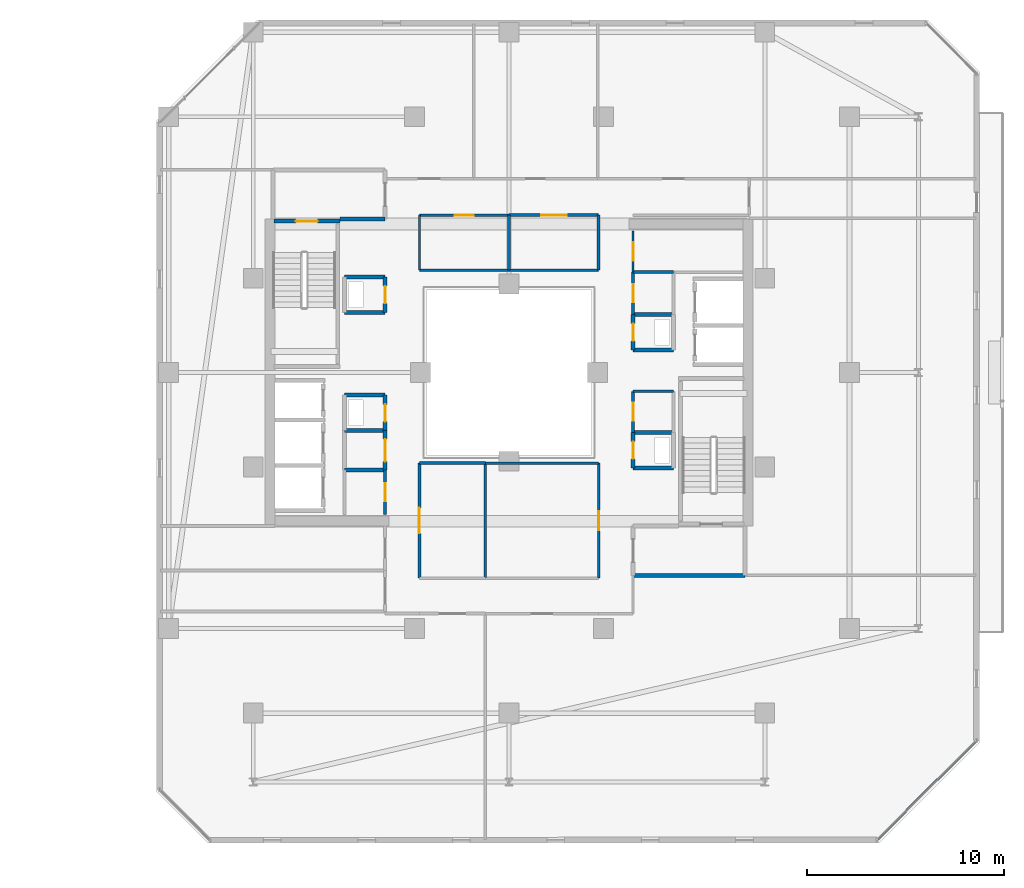
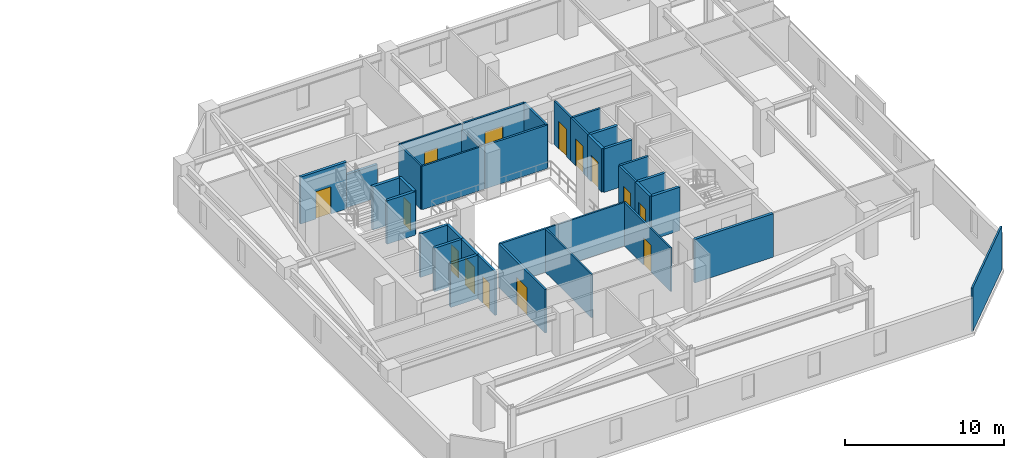
# One storey, part 23 of 32: 36 walls, 14 doors, 14 openings.
"""IFC4 building model written with IfcOpenShell, lengths in metres."""

from ifc_helpers import new_model, si_unit, direction, frame, frame_2d, origin, place, context, subcontext, project, spatial, rectangle, extrude, material, layer, layer_set, type_object, element, fill, save


model = new_model("IFC4")

# Units and contexts
model_context = context("Model", 3, precision=1e-05, world=origin(), true_north=direction((0.0, 1.0)))
body_context = subcontext(model_context, "Body", "Model", "MODEL_VIEW")
ifc_project = project(units=[si_unit("LENGTHUNIT", "METRE"), si_unit("AREAUNIT", "SQUARE_METRE"), si_unit("VOLUMEUNIT", "CUBIC_METRE"), si_unit("PLANEANGLEUNIT", "RADIAN"), si_unit("MASSUNIT", "GRAM", prefix="KILO")], contexts=[model_context])

# Site, building, storey
site_placement = place(None, origin())
site = spatial("IfcSite", under=ifc_project, at=site_placement, CompositionType="ELEMENT")
building_placement = place(site_placement, origin())
building = spatial("IfcBuilding", under=site, at=building_placement, Name="Thornwick Lancets Civic Towers", CompositionType="ELEMENT")
storey_placement = place(building_placement, frame((0.0, 0.0, 243.89990234375)))
storey = spatial("IfcBuildingStorey", under=building, at=storey_placement, Name="L65", CompositionType="ELEMENT", Elevation=243.89990234375)

# Walls
ifc_material_1 = material(Name="Concrete blockwork C40/50", Category="masonry")
ifc_layer_1 = layer(ifc_material_1, 0.199951171875, Name="Concrete blockwork C40/50")
ifc_layer_set_1 = layer_set([ifc_layer_1], Name="Concrete blockwork C40/50")
wall_type_1 = type_object("IfcWallType", Name="WALL_COMP_200", PredefinedType="STANDARD", material=ifc_layer_set_1)
wall_1_placement = place(storey_placement, frame((94.800048828125, 16.699951171875, 0.0), z_axis=(0.0, 0.0, 1.0), x_axis=(1.0, 0.0, 0.0)))
element("IfcWall", 1, at=wall_1_placement, inside=storey, type_object=wall_type_1, Name="L65 Partition L65-B-FFLOB1 E1", PredefinedType="STANDARD", context=body_context, shape_type="SweptSolid", body=[
    extrude(rectangle(XDim=5.699951171875, YDim=0.199951171875, at=frame_2d((2.85009765625, 0.0))), origin(), (0.0, 0.0, 1.0), 3.340087890625),
])
wall_2_placement = place(storey_placement, frame((79.89990234375, 34.800048828125, 0.0), z_axis=(0.0, 0.0, 1.0), x_axis=(1.0, 0.0, 0.0)))
element("IfcWall", 2, at=wall_2_placement, inside=storey, type_object=wall_type_1, Name="L65 Partition L65-B-FFLOB2 E1", PredefinedType="STANDARD", context=body_context, shape_type="SweptSolid", body=[
    extrude(rectangle(XDim=2.300048828125, YDim=0.199951171875, at=frame_2d((1.14990234375, 0.0))), origin(), (0.0, 0.0, 1.0), 2.545166015625),
])
for number, where, z_axis, x_axis, name in (
    (3, (94.800048828125, 28.14990234375, 0.0), (0.0, 0.0, 1.0), (1.0, 0.0, 0.0), "L65 Partition L65-B-DUCT1 E1"),
    (4, (96.85009765625, 29.949951171875, 0.0), (0.0, 0.0, 1.0), (-1.0, 0.0, 0.0), "L65 Partition L65-B-DUCT1 E3"),
):
    element("IfcWall", number, at=place(storey_placement, frame(where, z_axis=z_axis, x_axis=x_axis)), inside=storey, type_object=wall_type_1, Name=name, PredefinedType="STANDARD", context=body_context, shape_type="SweptSolid", body=[
        extrude(rectangle(XDim=2.050048828125, YDim=0.199951171875, at=frame_2d((1.02490234375, 0.0))), origin(), (0.0, 0.0, 1.0), 3.340087890625),
    ])

# Wall, opening, door
wall_3_placement = place(storey_placement, frame((94.800048828125, 29.949951171875, 0.0), z_axis=(0.0, 0.0, 1.0), x_axis=(0.0, -1.0, 0.0)))
wall_3 = element("IfcWall", 5, at=wall_3_placement, inside=storey, type_object=wall_type_1, Name="L65 Partition L65-B-DUCT1 E4", PredefinedType="STANDARD", context=body_context, shape_type="SweptSolid", body=[
    extrude(rectangle(XDim=1.800048828125, YDim=0.199951171875, at=frame_2d((0.89990234375, 0.0))), origin(), (0.0, 0.0, 1.0), 3.340087890625),
])
opening_1_placement = place(wall_3_placement, frame((0.4599609375, 0.0, 0.0)))
opening_1 = element("IfcOpeningElement", 6, at=opening_1_placement, cuts=wall_3, Name="Opening D-L65-2936", PredefinedType="OPENING", context=body_context, shape_type="SweptSolid", body=[
    extrude(rectangle(XDim=0.8798828125, YDim=2.0400390625, at=frame_2d((0.43994140625, 1.02001953125))), frame((0.0, 0.10986328125, 0.0), z_axis=(0.0, -1.0, 0.0), x_axis=(1.0, 0.0, 0.0)), (0.0, 0.0, 1.0), 0.219970703125),
])
ifc_material_2 = material(Name="Steel riser access doorset", Category="steel")
door_type_1 = type_object("IfcDoorType", Name="DOOR_RISER_850", OperationType="NOTDEFINED", PredefinedType="DOOR", material=ifc_material_2)
door_1_placement = place(opening_1_placement, origin())
door_1 = element("IfcDoor", 7, at=door_1_placement, inside=storey, type_object=door_type_1, Name="L65 East Service Duct 1 Door", OperationType="SINGLE_SWING_LEFT", OverallHeight=2.0400390625, OverallWidth=0.8798828125, PredefinedType="DOOR", context=body_context, shape_type="SweptSolid", body=[
    extrude(rectangle(XDim=0.8798828125, YDim=2.0400390625, at=frame_2d((0.43994140625, 1.02001953125))), frame((0.0, 0.02490234375, 0.0), z_axis=(0.0, -1.0, 0.0), x_axis=(1.0, 0.0, 0.0)), (0.0, 0.0, 1.0), 0.050048828125),
])
fill(opening_1, door_1)

# Walls
for number, where, z_axis, x_axis, name in (
    (8, (94.800048828125, 22.14990234375, 0.0), (0.0, 0.0, 1.0), (1.0, 0.0, 0.0), "L65 Partition L65-B-RISER1 E1"),
    (9, (96.85009765625, 23.949951171875, 0.0), (0.0, 0.0, 1.0), (-1.0, 0.0, 0.0), "L65 Partition L65-B-RISER1 E3"),
):
    element("IfcWall", number, at=place(storey_placement, frame(where, z_axis=z_axis, x_axis=x_axis)), inside=storey, type_object=wall_type_1, Name=name, PredefinedType="STANDARD", context=body_context, shape_type="SweptSolid", body=[
        extrude(rectangle(XDim=2.050048828125, YDim=0.199951171875, at=frame_2d((1.02490234375, 0.0))), origin(), (0.0, 0.0, 1.0), 3.340087890625),
    ])

# Wall, opening, door
wall_4_placement = place(storey_placement, frame((94.800048828125, 23.949951171875, 0.0), z_axis=(0.0, 0.0, 1.0), x_axis=(0.0, -1.0, 0.0)))
wall_4 = element("IfcWall", 10, at=wall_4_placement, inside=storey, type_object=wall_type_1, Name="L65 Partition L65-B-RISER1 E4", PredefinedType="STANDARD", context=body_context, shape_type="SweptSolid", body=[
    extrude(rectangle(XDim=1.800048828125, YDim=0.199951171875, at=frame_2d((0.89990234375, 0.0))), origin(), (0.0, 0.0, 1.0), 3.340087890625),
])
opening_2_placement = place(wall_4_placement, frame((0.4599609375, 0.0, 0.0)))
opening_2 = element("IfcOpeningElement", 11, at=opening_2_placement, cuts=wall_4, Name="Opening D-L65-2937", PredefinedType="OPENING", context=body_context, shape_type="SweptSolid", body=[
    extrude(rectangle(XDim=0.8798828125, YDim=2.0400390625, at=frame_2d((0.43994140625, 1.02001953125))), frame((0.0, 0.10986328125, 0.0), z_axis=(0.0, -1.0, 0.0), x_axis=(1.0, 0.0, 0.0)), (0.0, 0.0, 1.0), 0.219970703125),
])
door_2_placement = place(opening_2_placement, origin())
door_2 = element("IfcDoor", 12, at=door_2_placement, inside=storey, type_object=door_type_1, Name="L65 East Electrical Riser 1 Door", OperationType="SINGLE_SWING_RIGHT", OverallHeight=2.0400390625, OverallWidth=0.8798828125, PredefinedType="DOOR", context=body_context, shape_type="SweptSolid", body=[
    extrude(rectangle(XDim=0.8798828125, YDim=2.0400390625, at=frame_2d((0.43994140625, 1.02001953125))), frame((0.0, 0.02490234375, 0.0), z_axis=(0.0, -1.0, 0.0), x_axis=(1.0, 0.0, 0.0)), (0.0, 0.0, 1.0), 0.050048828125),
])
fill(opening_2, door_2)

# Wall
wall_5_placement = place(storey_placement, frame((80.14990234375, 24.050048828125, 0.0), z_axis=(0.0, 0.0, 1.0), x_axis=(1.0, 0.0, 0.0)))
element("IfcWall", 13, at=wall_5_placement, inside=storey, type_object=wall_type_1, Name="L65 Partition L65-B-DUCT2 E1", PredefinedType="STANDARD", context=body_context, shape_type="SweptSolid", body=[
    extrude(rectangle(XDim=2.050048828125, YDim=0.199951171875, at=frame_2d((1.02490234375, 0.0))), origin(), (0.0, 0.0, 1.0), 3.340087890625),
])

# Wall, opening, door
wall_6_placement = place(storey_placement, frame((82.199951171875, 24.050048828125, 0.0), z_axis=(0.0, 0.0, 1.0), x_axis=(0.0, 1.0, 0.0)))
wall_6 = element("IfcWall", 14, at=wall_6_placement, inside=storey, type_object=wall_type_1, Name="L65 Partition L65-B-DUCT2 E2", PredefinedType="STANDARD", context=body_context, shape_type="SweptSolid", body=[
    extrude(rectangle(XDim=1.800048828125, YDim=0.199951171875, at=frame_2d((0.89990234375, 0.0))), origin(), (0.0, 0.0, 1.0), 3.340087890625),
])
opening_3_placement = place(wall_6_placement, frame((0.4599609375, 0.0, 0.0)))
opening_3 = element("IfcOpeningElement", 15, at=opening_3_placement, cuts=wall_6, Name="Opening D-L65-2938", PredefinedType="OPENING", context=body_context, shape_type="SweptSolid", body=[
    extrude(rectangle(XDim=0.8798828125, YDim=2.0400390625, at=frame_2d((0.43994140625, 1.02001953125))), frame((0.0, 0.10986328125, 0.0), z_axis=(0.0, -1.0, 0.0), x_axis=(1.0, 0.0, 0.0)), (0.0, 0.0, 1.0), 0.219970703125),
])
door_3_placement = place(opening_3_placement, origin())
door_3 = element("IfcDoor", 16, at=door_3_placement, inside=storey, type_object=door_type_1, Name="L65 West Service Duct 2 Door", OperationType="SINGLE_SWING_LEFT", OverallHeight=2.0400390625, OverallWidth=0.8798828125, PredefinedType="DOOR", context=body_context, shape_type="SweptSolid", body=[
    extrude(rectangle(XDim=0.8798828125, YDim=2.0400390625, at=frame_2d((0.43994140625, 1.02001953125))), frame((0.0, 0.02490234375, 0.0), z_axis=(0.0, -1.0, 0.0), x_axis=(1.0, 0.0, 0.0)), (0.0, 0.0, 1.0), 0.050048828125),
])
fill(opening_3, door_3)

# Walls
for number, where, z_axis, x_axis, name in (
    (17, (82.199951171875, 25.85009765625, 0.0), (0.0, 0.0, 1.0), (-1.0, 0.0, 0.0), "L65 Partition L65-B-DUCT2 E3"),
    (18, (80.14990234375, 30.050048828125, 0.0), (0.0, 0.0, 1.0), (1.0, 0.0, 0.0), "L65 Partition L65-B-RISER2 E1"),
):
    element("IfcWall", number, at=place(storey_placement, frame(where, z_axis=z_axis, x_axis=x_axis)), inside=storey, type_object=wall_type_1, Name=name, PredefinedType="STANDARD", context=body_context, shape_type="SweptSolid", body=[
        extrude(rectangle(XDim=2.050048828125, YDim=0.199951171875, at=frame_2d((1.02490234375, 0.0))), origin(), (0.0, 0.0, 1.0), 3.340087890625),
    ])

# Wall, opening, door
wall_7_placement = place(storey_placement, frame((82.199951171875, 30.050048828125, 0.0), z_axis=(0.0, 0.0, 1.0), x_axis=(0.0, 1.0, 0.0)))
wall_7 = element("IfcWall", 19, at=wall_7_placement, inside=storey, type_object=wall_type_1, Name="L65 Partition L65-B-RISER2 E2", PredefinedType="STANDARD", context=body_context, shape_type="SweptSolid", body=[
    extrude(rectangle(XDim=1.800048828125, YDim=0.199951171875, at=frame_2d((0.89990234375, 0.0))), origin(), (0.0, 0.0, 1.0), 3.340087890625),
])
opening_4_placement = place(wall_7_placement, frame((0.4599609375, 0.0, 0.0)))
opening_4 = element("IfcOpeningElement", 20, at=opening_4_placement, cuts=wall_7, Name="Opening D-L65-2939", PredefinedType="OPENING", context=body_context, shape_type="SweptSolid", body=[
    extrude(rectangle(XDim=0.8798828125, YDim=2.0400390625, at=frame_2d((0.43994140625, 1.02001953125))), frame((0.0, 0.10986328125, 0.0), z_axis=(0.0, -1.0, 0.0), x_axis=(1.0, 0.0, 0.0)), (0.0, 0.0, 1.0), 0.219970703125),
])
door_4_placement = place(opening_4_placement, origin())
door_4 = element("IfcDoor", 21, at=door_4_placement, inside=storey, type_object=door_type_1, Name="L65 West Service Riser 2 Door", OperationType="SINGLE_SWING_RIGHT", OverallHeight=2.0400390625, OverallWidth=0.8798828125, PredefinedType="DOOR", context=body_context, shape_type="SweptSolid", body=[
    extrude(rectangle(XDim=0.8798828125, YDim=2.0400390625, at=frame_2d((0.43994140625, 1.02001953125))), frame((0.0, 0.02490234375, 0.0), z_axis=(0.0, -1.0, 0.0), x_axis=(1.0, 0.0, 0.0)), (0.0, 0.0, 1.0), 0.050048828125),
])
fill(opening_4, door_4)

# Wall
wall_8_placement = place(storey_placement, frame((82.199951171875, 31.85009765625, 0.0), z_axis=(0.0, 0.0, 1.0), x_axis=(-1.0, 0.0, 0.0)))
element("IfcWall", 22, at=wall_8_placement, inside=storey, type_object=wall_type_1, Name="L65 Partition L65-B-RISER2 E3", PredefinedType="STANDARD", context=body_context, shape_type="SweptSolid", body=[
    extrude(rectangle(XDim=2.050048828125, YDim=0.199951171875, at=frame_2d((1.02490234375, 0.0))), origin(), (0.0, 0.0, 1.0), 3.340087890625),
])

# Wall, opening, door
wall_9_placement = place(storey_placement, frame((82.199951171875, 24.050048828125, 0.0), z_axis=(0.0, 0.0, 1.0), x_axis=(0.0, -1.0, 0.0)))
wall_9 = element("IfcWall", 23, at=wall_9_placement, inside=storey, type_object=wall_type_1, Name="L65 Partition L65-B-STR E3", PredefinedType="STANDARD", context=body_context, shape_type="SweptSolid", body=[
    extrude(rectangle(XDim=2.0, YDim=0.199951171875, at=frame_2d((1.0, 0.0))), origin(), (0.0, 0.0, 1.0), 3.340087890625),
])
opening_5_placement = place(wall_9_placement, frame((0.425048828125, 0.0, 0.0)))
opening_5 = element("IfcOpeningElement", 24, at=opening_5_placement, cuts=wall_9, Name="Opening D-L65-2944", PredefinedType="OPENING", context=body_context, shape_type="SweptSolid", body=[
    extrude(rectangle(XDim=1.14990234375, YDim=2.10009765625, at=frame_2d((0.574951171875, 1.050048828125))), frame((0.0, 0.10986328125, 0.0), z_axis=(0.0, -1.0, 0.0), x_axis=(1.0, 0.0, 0.0)), (0.0, 0.0, 1.0), 0.219970703125),
])
ifc_material_3 = material(Name="Glazed fire-resisting steel", Category="steel")
door_type_2 = type_object("IfcDoorType", Name="DOOR_LOBBY_FD60", OperationType="NOTDEFINED", PredefinedType="DOOR", material=ifc_material_3)
door_5_placement = place(opening_5_placement, origin())
door_5 = element("IfcDoor", 25, at=door_5_placement, inside=storey, type_object=door_type_2, Name="L65 Tower B Core Records Store Door", OperationType="SINGLE_SWING_LEFT", OverallHeight=2.10009765625, OverallWidth=1.14990234375, PredefinedType="DOOR", context=body_context, shape_type="SweptSolid", body=[
    extrude(rectangle(XDim=1.14990234375, YDim=2.10009765625, at=frame_2d((0.574951171875, 1.050048828125))), frame((0.0, 0.02490234375, 0.0), z_axis=(0.0, -1.0, 0.0), x_axis=(1.0, 0.0, 0.0)), (0.0, 0.0, 1.0), 0.050048828125),
])
fill(opening_5, door_5)

# Wall
wall_10_placement = place(storey_placement, frame((82.199951171875, 22.050048828125, 0.0), z_axis=(0.0, 0.0, 1.0), x_axis=(-1.0, 0.0, 0.0)))
element("IfcWall", 26, at=wall_10_placement, inside=storey, type_object=wall_type_1, Name="L65 Partition L65-B-STR E4", PredefinedType="STANDARD", context=body_context, shape_type="SweptSolid", body=[
    extrude(rectangle(XDim=2.050048828125, YDim=0.199951171875, at=frame_2d((1.02490234375, 0.0))), origin(), (0.0, 0.0, 1.0), 3.340087890625),
])

# Wall, opening, door
ifc_material_4 = material(Name="Acoustic gypsum board partition")
ifc_layer_2 = layer(ifc_material_4, 0.1201171875, Name="Acoustic gypsum board partition")
ifc_layer_set_2 = layer_set([ifc_layer_2], Name="Acoustic gypsum board partition")
wall_type_2 = type_object("IfcWallType", Name="WALL_PART_120", PredefinedType="PARTITIONING", material=ifc_layer_set_2)
wall_11_placement = place(storey_placement, frame((94.800048828125, 32.10009765625, 0.0), z_axis=(0.0, 0.0, 1.0), x_axis=(0.0, 1.0, 0.0)))
wall_11 = element("IfcWall", 27, at=wall_11_placement, inside=storey, type_object=wall_type_2, Name="L65 Partition L65-B-ITR E1", PredefinedType="PARTITIONING", context=body_context, shape_type="SweptSolid", body=[
    extrude(rectangle(XDim=2.099853515625, YDim=0.1201171875, at=frame_2d((1.0498046875, 0.0))), origin(), (0.0, 0.0, 1.0), 3.340087890625),
])
opening_6_placement = place(wall_11_placement, frame((0.574951171875, 0.0, 0.0)))
opening_6 = element("IfcOpeningElement", 28, at=opening_6_placement, cuts=wall_11, Name="Opening D-L65-2942", PredefinedType="OPENING", context=body_context, shape_type="SweptSolid", body=[
    extrude(rectangle(XDim=0.949951171875, YDim=2.10009765625, at=frame_2d((0.47509765625, 1.050048828125))), frame((0.0, 0.070068359375, 0.0), z_axis=(0.0, -1.0, 0.0), x_axis=(1.0, 0.0, 0.0)), (0.0, 0.0, 1.0), 0.14013671875),
])
ifc_material_5 = material(Name="European oak acoustic doorset")
door_type_3 = type_object("IfcDoorType", Name="DOOR_OFFICE_950", OperationType="NOTDEFINED", PredefinedType="DOOR", material=ifc_material_5)
door_6_placement = place(opening_6_placement, origin())
door_6 = element("IfcDoor", 29, at=door_6_placement, inside=storey, type_object=door_type_3, Name="L65 Tower B Comms Patch Room Door", OperationType="SINGLE_SWING_LEFT", OverallHeight=2.10009765625, OverallWidth=0.949951171875, PredefinedType="DOOR", context=body_context, shape_type="SweptSolid", body=[
    extrude(rectangle(XDim=0.949951171875, YDim=2.10009765625, at=frame_2d((0.47509765625, 1.050048828125))), frame((0.0, 0.02490234375, 0.0), z_axis=(0.0, -1.0, 0.0), x_axis=(1.0, 0.0, 0.0)), (0.0, 0.0, 1.0), 0.050048828125),
])
fill(opening_6, door_6)

# Walls
wall_12_placement = place(storey_placement, frame((112.219970703125, 8.2666015625, 0.0), z_axis=(0.0, 0.0, 1.0), x_axis=(-0.707106781187, -0.707106781187, 0.0)))
element("IfcWall", 30, at=wall_12_placement, inside=storey, type_object=wall_type_2, Name="L65 Partition L65-B-W1 E9", PredefinedType="PARTITIONING", context=body_context, shape_type="SweptSolid", body=[
    extrude(rectangle(XDim=7.052001953125, YDim=0.1201171875, at=frame_2d((3.52587890625, 0.0))), origin(), (0.0, 0.0, 1.0), 3.340087890625),
])
wall_13_placement = place(storey_placement, frame((87.300048828125, 16.550048828125, 0.0), z_axis=(0.0, 0.0, 1.0), x_axis=(0.0, 1.0, 0.0)))
element("IfcWall", 31, at=wall_13_placement, inside=storey, type_object=wall_type_2, Name="L65 Partition L65-B-W3 E1", PredefinedType="PARTITIONING", context=body_context, shape_type="SweptSolid", body=[
    extrude(rectangle(XDim=5.849853515625, YDim=0.1201171875, at=frame_2d((2.9248046875, 0.0))), origin(), (0.0, 0.0, 1.0), 3.340087890625),
])
wall_14_placement = place(storey_placement, frame((87.300048828125, 22.39990234375, 0.0), z_axis=(0.0, 0.0, 1.0), x_axis=(1.0, 0.0, 0.0)))
element("IfcWall", 32, at=wall_14_placement, inside=storey, type_object=wall_type_2, Name="L65 Partition L65-B-W3 E2", PredefinedType="PARTITIONING", context=body_context, shape_type="SweptSolid", body=[
    extrude(rectangle(XDim=5.75, YDim=0.1201171875, at=frame_2d((2.875, 0.0))), origin(), (0.0, 0.0, 1.0), 3.340087890625),
])

# Wall, opening, door
wall_15_placement = place(storey_placement, frame((93.050048828125, 22.39990234375, 0.0), z_axis=(0.0, 0.0, 1.0), x_axis=(0.0, -1.0, 0.0)))
wall_15 = element("IfcWall", 33, at=wall_15_placement, inside=storey, type_object=wall_type_2, Name="L65 Partition L65-B-W3 E3", PredefinedType="PARTITIONING", context=body_context, shape_type="SweptSolid", body=[
    extrude(rectangle(XDim=5.849853515625, YDim=0.1201171875, at=frame_2d((2.9248046875, 0.0))), origin(), (0.0, 0.0, 1.0), 3.340087890625),
])
opening_7_placement = place(wall_15_placement, frame((2.449951171875, 0.0, 0.0)))
opening_7 = element("IfcOpeningElement", 34, at=opening_7_placement, cuts=wall_15, Name="Opening D-L65-2962", PredefinedType="OPENING", context=body_context, shape_type="SweptSolid", body=[
    extrude(rectangle(XDim=0.949951171875, YDim=2.10009765625, at=frame_2d((0.47509765625, 1.050048828125))), frame((0.0, 0.070068359375, 0.0), z_axis=(0.0, -1.0, 0.0), x_axis=(1.0, 0.0, 0.0)), (0.0, 0.0, 1.0), 0.14013671875),
])
door_7_placement = place(opening_7_placement, origin())
door_7 = element("IfcDoor", 35, at=door_7_placement, inside=storey, type_object=door_type_3, Name="L65 Tower B Staff Tea Pantry and Lounge Door", OperationType="SINGLE_SWING_LEFT", OverallHeight=2.10009765625, OverallWidth=0.949951171875, PredefinedType="DOOR", context=body_context, shape_type="SweptSolid", body=[
    extrude(rectangle(XDim=0.949951171875, YDim=2.10009765625, at=frame_2d((0.47509765625, 1.050048828125))), frame((0.0, 0.02490234375, 0.0), z_axis=(0.0, -1.0, 0.0), x_axis=(1.0, 0.0, 0.0)), (0.0, 0.0, 1.0), 0.050048828125),
])
fill(opening_7, door_7)

# Wall
wall_16_placement = place(storey_placement, frame((83.949951171875, 32.199951171875, 0.0), z_axis=(0.0, 0.0, 1.0), x_axis=(0.0, 1.0, 0.0)))
element("IfcWall", 36, at=wall_16_placement, inside=storey, type_object=wall_type_2, Name="L65 Partition L65-B-E-ATR-2 E1", PredefinedType="PARTITIONING", context=body_context, shape_type="SweptSolid", body=[
    extrude(rectangle(XDim=2.800048828125, YDim=0.1201171875, at=frame_2d((1.39990234375, 0.0))), origin(), (0.0, 0.0, 1.0), 3.340087890625),
])

# Wall, opening, door
wall_17_placement = place(storey_placement, frame((83.949951171875, 35.0, 0.0), z_axis=(0.0, 0.0, 1.0), x_axis=(1.0, 0.0, 0.0)))
wall_17 = element("IfcWall", 37, at=wall_17_placement, inside=storey, type_object=wall_type_2, Name="L65 Partition L65-B-E-ATR-2 E2", PredefinedType="PARTITIONING", context=body_context, shape_type="SweptSolid", body=[
    extrude(rectangle(XDim=4.550048828125, YDim=0.1201171875, at=frame_2d((2.27490234375, 0.0))), origin(), (0.0, 0.0, 1.0), 3.340087890625),
])
opening_8_placement = place(wall_17_placement, frame((1.800048828125, 0.0, 0.0)))
opening_8 = element("IfcOpeningElement", 38, at=opening_8_placement, cuts=wall_17, Name="Opening D-L65-2968", PredefinedType="OPENING", context=body_context, shape_type="SweptSolid", body=[
    extrude(rectangle(XDim=0.949951171875, YDim=2.10009765625, at=frame_2d((0.47509765625, 1.050048828125))), frame((0.0, 0.070068359375, 0.0), z_axis=(0.0, -1.0, 0.0), x_axis=(1.0, 0.0, 0.0)), (0.0, 0.0, 1.0), 0.14013671875),
])
door_8_placement = place(opening_8_placement, origin())
door_8 = element("IfcDoor", 39, at=door_8_placement, inside=storey, type_object=door_type_3, Name="L65 Tower B Atrium Research Suite Door", OperationType="SINGLE_SWING_LEFT", OverallHeight=2.10009765625, OverallWidth=0.949951171875, PredefinedType="DOOR", context=body_context, shape_type="SweptSolid", body=[
    extrude(rectangle(XDim=0.949951171875, YDim=2.10009765625, at=frame_2d((0.47509765625, 1.050048828125))), frame((0.0, 0.02490234375, 0.0), z_axis=(0.0, -1.0, 0.0), x_axis=(1.0, 0.0, 0.0)), (0.0, 0.0, 1.0), 0.050048828125),
])
fill(opening_8, door_8)

# Wall
wall_18_placement = place(storey_placement, frame((88.5, 32.199951171875, 0.0), z_axis=(0.0, 0.0, 1.0), x_axis=(-1.0, 0.0, 0.0)))
element("IfcWall", 40, at=wall_18_placement, inside=storey, type_object=wall_type_2, Name="L65 Partition L65-B-E-ATR-2 E4", PredefinedType="PARTITIONING", context=body_context, shape_type="SweptSolid", body=[
    extrude(rectangle(XDim=4.550048828125, YDim=0.1201171875, at=frame_2d((2.27490234375, 0.0))), origin(), (0.0, 0.0, 1.0), 3.340087890625),
])

# Wall, opening, door
ifc_material_6 = material(Name="Twin-stud acoustic gypsum board")
ifc_layer_3 = layer(ifc_material_6, 0.14990234375, Name="Twin-stud acoustic gypsum board")
ifc_layer_set_3 = layer_set([ifc_layer_3], Name="Twin-stud acoustic gypsum board")
wall_type_3 = type_object("IfcWallType", Name="WALL_PART_150", PredefinedType="PARTITIONING", material=ifc_layer_set_3)
wall_19_placement = place(storey_placement, frame((94.800048828125, 23.949951171875, 0.0), z_axis=(0.0, 0.0, 1.0), x_axis=(0.0, 1.0, 0.0)))
wall_19 = element("IfcWall", 41, at=wall_19_placement, inside=storey, type_object=wall_type_3, Name="L65 Partition L65-B-MWC E1", PredefinedType="PARTITIONING", context=body_context, shape_type="SweptSolid", body=[
    extrude(rectangle(XDim=2.10009765625, YDim=0.14990234375, at=frame_2d((1.050048828125, 0.0))), origin(), (0.0, 0.0, 1.0), 3.340087890625),
])
opening_9_placement = place(wall_19_placement, frame((0.590087890625, 0.0, 0.0)))
opening_9 = element("IfcOpeningElement", 42, at=opening_9_placement, cuts=wall_19, Name="Opening D-L65-2940", PredefinedType="OPENING", context=body_context, shape_type="SweptSolid", body=[
    extrude(rectangle(XDim=0.919921875, YDim=2.080078125, at=frame_2d((0.4599609375, 1.0400390625))), frame((0.0, 0.0849609375, 0.0), z_axis=(0.0, -1.0, 0.0), x_axis=(1.0, 0.0, 0.0)), (0.0, 0.0, 1.0), 0.169921875),
])
ifc_material_7 = material(Name="Moisture-resistant oak doorset")
door_type_4 = type_object("IfcDoorType", Name="DOOR_WC_900", OperationType="NOTDEFINED", PredefinedType="DOOR", material=ifc_material_7)
door_9_placement = place(opening_9_placement, origin())
door_9 = element("IfcDoor", 43, at=door_9_placement, inside=storey, type_object=door_type_4, Name="L65 Tower B Male WC Door", OperationType="SINGLE_SWING_LEFT", OverallHeight=2.080078125, OverallWidth=0.919921875, PredefinedType="DOOR", context=body_context, shape_type="SweptSolid", body=[
    extrude(rectangle(XDim=0.919921875, YDim=2.080078125, at=frame_2d((0.4599609375, 1.0400390625))), frame((0.0, 0.02490234375, 0.0), z_axis=(0.0, -1.0, 0.0), x_axis=(1.0, 0.0, 0.0)), (0.0, 0.0, 1.0), 0.050048828125),
])
fill(opening_9, door_9)

# Wall
wall_20_placement = place(storey_placement, frame((94.800048828125, 26.050048828125, 0.0), z_axis=(0.0, 0.0, 1.0), x_axis=(1.0, 0.0, 0.0)))
element("IfcWall", 44, at=wall_20_placement, inside=storey, type_object=wall_type_3, Name="L65 Partition L65-B-MWC E2", PredefinedType="PARTITIONING", context=body_context, shape_type="SweptSolid", body=[
    extrude(rectangle(XDim=2.050048828125, YDim=0.14990234375, at=frame_2d((1.02490234375, 0.0))), origin(), (0.0, 0.0, 1.0), 3.340087890625),
])

# Wall, opening, door
wall_21_placement = place(storey_placement, frame((94.800048828125, 29.949951171875, 0.0), z_axis=(0.0, 0.0, 1.0), x_axis=(0.0, 1.0, 0.0)))
wall_21 = element("IfcWall", 45, at=wall_21_placement, inside=storey, type_object=wall_type_3, Name="L65 Partition L65-B-FWC E1", PredefinedType="PARTITIONING", context=body_context, shape_type="SweptSolid", body=[
    extrude(rectangle(XDim=2.150146484375, YDim=0.14990234375, at=frame_2d((1.0751953125, 0.0))), origin(), (0.0, 0.0, 1.0), 3.340087890625),
])
opening_10_placement = place(wall_21_placement, frame((0.614990234375, 0.0, 0.0)))
opening_10 = element("IfcOpeningElement", 46, at=opening_10_placement, cuts=wall_21, Name="Opening D-L65-2941", PredefinedType="OPENING", context=body_context, shape_type="SweptSolid", body=[
    extrude(rectangle(XDim=0.919921875, YDim=2.080078125, at=frame_2d((0.4599609375, 1.0400390625))), frame((0.0, 0.0849609375, 0.0), z_axis=(0.0, -1.0, 0.0), x_axis=(1.0, 0.0, 0.0)), (0.0, 0.0, 1.0), 0.169921875),
])
door_10_placement = place(opening_10_placement, origin())
door_10 = element("IfcDoor", 47, at=door_10_placement, inside=storey, type_object=door_type_4, Name="L65 Tower B Female WC Door", OperationType="SINGLE_SWING_RIGHT", OverallHeight=2.080078125, OverallWidth=0.919921875, PredefinedType="DOOR", context=body_context, shape_type="SweptSolid", body=[
    extrude(rectangle(XDim=0.919921875, YDim=2.080078125, at=frame_2d((0.4599609375, 1.0400390625))), frame((0.0, 0.02490234375, 0.0), z_axis=(0.0, -1.0, 0.0), x_axis=(1.0, 0.0, 0.0)), (0.0, 0.0, 1.0), 0.050048828125),
])
fill(opening_10, door_10)

# Wall
wall_22_placement = place(storey_placement, frame((94.800048828125, 32.10009765625, 0.0), z_axis=(0.0, 0.0, 1.0), x_axis=(1.0, 0.0, 0.0)))
element("IfcWall", 48, at=wall_22_placement, inside=storey, type_object=wall_type_3, Name="L65 Partition L65-B-FWC E2", PredefinedType="PARTITIONING", context=body_context, shape_type="SweptSolid", body=[
    extrude(rectangle(XDim=2.050048828125, YDim=0.14990234375, at=frame_2d((1.02490234375, 0.0))), origin(), (0.0, 0.0, 1.0), 3.340087890625),
])

# Wall, opening, door
wall_23_placement = place(storey_placement, frame((82.199951171875, 19.800048828125, 0.0), z_axis=(0.0, 0.0, 1.0), x_axis=(0.0, 1.0, 0.0)))
wall_23 = element("IfcWall", 49, at=wall_23_placement, inside=storey, type_object=wall_type_3, Name="L65 Partition L65-B-AWC E2", PredefinedType="PARTITIONING", context=body_context, shape_type="SweptSolid", body=[
    extrude(rectangle(XDim=2.25, YDim=0.14990234375, at=frame_2d((1.125, 0.0))), origin(), (0.0, 0.0, 1.0), 3.340087890625),
])
opening_11_placement = place(wall_23_placement, frame((0.6650390625, 0.0, 0.0)))
opening_11 = element("IfcOpeningElement", 50, at=opening_11_placement, cuts=wall_23, Name="Opening D-L65-2943", PredefinedType="OPENING", context=body_context, shape_type="SweptSolid", body=[
    extrude(rectangle(XDim=0.919921875, YDim=2.080078125, at=frame_2d((0.4599609375, 1.0400390625))), frame((0.0, 0.0849609375, 0.0), z_axis=(0.0, -1.0, 0.0), x_axis=(1.0, 0.0, 0.0)), (0.0, 0.0, 1.0), 0.169921875),
])
door_11_placement = place(opening_11_placement, origin())
door_11 = element("IfcDoor", 51, at=door_11_placement, inside=storey, type_object=door_type_4, Name="L65 Tower B Accessible WC Door", OperationType="SINGLE_SWING_RIGHT", OverallHeight=2.080078125, OverallWidth=0.919921875, PredefinedType="DOOR", context=body_context, shape_type="SweptSolid", body=[
    extrude(rectangle(XDim=0.919921875, YDim=2.080078125, at=frame_2d((0.4599609375, 1.0400390625))), frame((0.0, 0.02490234375, 0.0), z_axis=(0.0, -1.0, 0.0), x_axis=(1.0, 0.0, 0.0)), (0.0, 0.0, 1.0), 0.050048828125),
])
fill(opening_11, door_11)

wall_24_placement = place(storey_placement, frame((83.949951171875, 16.550048828125, 0.0), z_axis=(0.0, 0.0, 1.0), x_axis=(0.0, 1.0, 0.0)))
wall_24 = element("IfcWall", 52, at=wall_24_placement, inside=storey, type_object=wall_type_3, Name="L65 Partition L65-B-W4 E1", PredefinedType="PARTITIONING", context=body_context, shape_type="SweptSolid", body=[
    extrude(rectangle(XDim=5.849853515625, YDim=0.14990234375, at=frame_2d((2.9248046875, 0.0))), origin(), (0.0, 0.0, 1.0), 3.340087890625),
])
opening_12_placement = place(wall_24_placement, frame((2.27490234375, 0.0, 0.0)))
opening_12 = element("IfcOpeningElement", 53, at=opening_12_placement, cuts=wall_24, Name="Opening D-L65-2963", PredefinedType="OPENING", context=body_context, shape_type="SweptSolid", body=[
    extrude(rectangle(XDim=1.300048828125, YDim=2.1201171875, at=frame_2d((0.64990234375, 1.06005859375))), frame((0.0, 0.0849609375, 0.0), z_axis=(0.0, -1.0, 0.0), x_axis=(1.0, 0.0, 0.0)), (0.0, 0.0, 1.0), 0.169921875),
])
ifc_material_8 = material(Name="Acoustic oak leaf-and-a-half doorset")
door_type_5 = type_object("IfcDoorType", Name="DOOR_MEET_1300", OperationType="DOUBLE_DOOR_SINGLE_SWING", PredefinedType="DOOR", material=ifc_material_8)
door_12_placement = place(opening_12_placement, origin())
door_12 = element("IfcDoor", 54, at=door_12_placement, inside=storey, type_object=door_type_5, Name="L65 Tower B West Briefing Room W4 Door", OperationType="DOUBLE_DOOR_SINGLE_SWING", OverallHeight=2.1201171875, OverallWidth=1.300048828125, PredefinedType="DOOR", context=body_context, shape_type="SweptSolid", body=[
    extrude(rectangle(XDim=1.300048828125, YDim=2.1201171875, at=frame_2d((0.64990234375, 1.06005859375))), frame((0.0, 0.02490234375, 0.0), z_axis=(0.0, -1.0, 0.0), x_axis=(1.0, 0.0, 0.0)), (0.0, 0.0, 1.0), 0.050048828125),
])
fill(opening_12, door_12)

# Walls
wall_25_placement = place(storey_placement, frame((83.949951171875, 22.39990234375, 0.0), z_axis=(0.0, 0.0, 1.0), x_axis=(1.0, 0.0, 0.0)))
element("IfcWall", 55, at=wall_25_placement, inside=storey, type_object=wall_type_3, Name="L65 Partition L65-B-W4 E2", PredefinedType="PARTITIONING", context=body_context, shape_type="SweptSolid", body=[
    extrude(rectangle(XDim=3.35009765625, YDim=0.14990234375, at=frame_2d((1.675048828125, 0.0))), origin(), (0.0, 0.0, 1.0), 3.340087890625),
])
wall_26_placement = place(storey_placement, frame((88.5, 32.199951171875, 0.0), z_axis=(0.0, 0.0, 1.0), x_axis=(0.0, 1.0, 0.0)))
element("IfcWall", 56, at=wall_26_placement, inside=storey, type_object=wall_type_3, Name="L65 Partition L65-B-E-ATR-1 E1", PredefinedType="PARTITIONING", context=body_context, shape_type="SweptSolid", body=[
    extrude(rectangle(XDim=2.800048828125, YDim=0.14990234375, at=frame_2d((1.39990234375, 0.0))), origin(), (0.0, 0.0, 1.0), 2.8779296875),
])

# Wall, opening, door
wall_27_placement = place(storey_placement, frame((88.5, 35.0, 0.0), z_axis=(0.0, 0.0, 1.0), x_axis=(1.0, 0.0, 0.0)))
wall_27 = element("IfcWall", 57, at=wall_27_placement, inside=storey, type_object=wall_type_3, Name="L65 Partition L65-B-E-ATR-1 E2", PredefinedType="PARTITIONING", context=body_context, shape_type="SweptSolid", body=[
    extrude(rectangle(XDim=4.550048828125, YDim=0.14990234375, at=frame_2d((2.27490234375, 0.0))), origin(), (0.0, 0.0, 1.0), 3.340087890625),
])
opening_13_placement = place(wall_27_placement, frame((1.625, 0.0, 0.0)))
opening_13 = element("IfcOpeningElement", 58, at=opening_13_placement, cuts=wall_27, Name="Opening D-L65-2967", PredefinedType="OPENING", context=body_context, shape_type="SweptSolid", body=[
    extrude(rectangle(XDim=1.300048828125, YDim=2.1201171875, at=frame_2d((0.64990234375, 1.06005859375))), frame((0.0, 0.0849609375, 0.0), z_axis=(0.0, -1.0, 0.0), x_axis=(1.0, 0.0, 0.0)), (0.0, 0.0, 1.0), 0.169921875),
])
door_13_placement = place(opening_13_placement, origin())
door_13 = element("IfcDoor", 59, at=door_13_placement, inside=storey, type_object=door_type_5, Name="L65 Tower B Atrium Briefing Room Door", OperationType="DOUBLE_DOOR_SINGLE_SWING", OverallHeight=2.1201171875, OverallWidth=1.300048828125, PredefinedType="DOOR", context=body_context, shape_type="SweptSolid", body=[
    extrude(rectangle(XDim=1.300048828125, YDim=2.1201171875, at=frame_2d((0.64990234375, 1.06005859375))), frame((0.0, 0.02490234375, 0.0), z_axis=(0.0, -1.0, 0.0), x_axis=(1.0, 0.0, 0.0)), (0.0, 0.0, 1.0), 0.050048828125),
])
fill(opening_13, door_13)

# Walls
wall_28_placement = place(storey_placement, frame((93.050048828125, 35.0, 0.0), z_axis=(0.0, 0.0, 1.0), x_axis=(0.0, -1.0, 0.0)))
element("IfcWall", 60, at=wall_28_placement, inside=storey, type_object=wall_type_3, Name="L65 Partition L65-B-E-ATR-1 E3", PredefinedType="PARTITIONING", context=body_context, shape_type="SweptSolid", body=[
    extrude(rectangle(XDim=2.800048828125, YDim=0.14990234375, at=frame_2d((1.39990234375, 0.0))), origin(), (0.0, 0.0, 1.0), 3.340087890625),
])
wall_29_placement = place(storey_placement, frame((93.050048828125, 32.199951171875, 0.0), z_axis=(0.0, 0.0, 1.0), x_axis=(-1.0, 0.0, 0.0)))
element("IfcWall", 61, at=wall_29_placement, inside=storey, type_object=wall_type_3, Name="L65 Partition L65-B-E-ATR-1 E4", PredefinedType="PARTITIONING", context=body_context, shape_type="SweptSolid", body=[
    extrude(rectangle(XDim=4.550048828125, YDim=0.14990234375, at=frame_2d((2.27490234375, 0.0))), origin(), (0.0, 0.0, 1.0), 3.340087890625),
])

# Wall, opening, door
ifc_material_9 = material(Name="Concrete C40/50", Category="concrete")
ifc_layer_4 = layer(ifc_material_9, 0.199951171875, Name="Concrete C40/50")
ifc_layer_set_4 = layer_set([ifc_layer_4], Name="Concrete C40/50")
wall_type_4 = type_object("IfcWallType", Name="WALL_SHAFT_200", PredefinedType="SHEAR", material=ifc_layer_set_4)
wall_30_placement = place(storey_placement, frame((76.550048828125, 34.699951171875, 0.0), z_axis=(0.0, 0.0, 1.0), x_axis=(1.0, 0.0, 0.0)))
wall_30 = element("IfcWall", 62, at=wall_30_placement, inside=storey, type_object=wall_type_4, Name="L65 ST-B2 Fire Stair Core Wall NEAR", PredefinedType="SHEAR", context=body_context, shape_type="SweptSolid", body=[
    extrude(rectangle(XDim=3.349853515625, YDim=0.199951171875, at=frame_2d((1.6748046875, 0.0))), origin(), (0.0, 0.0, 1.0), 3.60009765625),
])
opening_14_placement = place(wall_30_placement, frame((1.125, 0.0, 0.0)))
opening_14 = element("IfcOpeningElement", 63, at=opening_14_placement, cuts=wall_30, Name="Opening D-ST-B2-L65", PredefinedType="OPENING", context=body_context, shape_type="SweptSolid", body=[
    extrude(rectangle(XDim=1.10009765625, YDim=2.10009765625, at=frame_2d((0.550048828125, 1.050048828125))), frame((0.0, 0.10986328125, 0.0), z_axis=(0.0, -1.0, 0.0), x_axis=(1.0, 0.0, 0.0)), (0.0, 0.0, 1.0), 0.219970703125),
])
ifc_material_10 = material(Name="Fire-resisting steel and hardwood", Category="steel")
door_type_6 = type_object("IfcDoorType", Name="DOOR_STAIR_FD60", OperationType="NOTDEFINED", PredefinedType="DOOR", material=ifc_material_10)
door_14_placement = place(opening_14_placement, origin())
door_14 = element("IfcDoor", 64, at=door_14_placement, inside=storey, type_object=door_type_6, Name="L65 ST-B2 Exit Stair Door", OperationType="SINGLE_SWING_LEFT", OverallHeight=2.10009765625, OverallWidth=1.10009765625, PredefinedType="DOOR", context=body_context, shape_type="SweptSolid", body=[
    extrude(rectangle(XDim=1.10009765625, YDim=2.10009765625, at=frame_2d((0.550048828125, 1.050048828125))), frame((0.0, 0.02490234375, 0.0), z_axis=(0.0, -1.0, 0.0), x_axis=(1.0, 0.0, 0.0)), (0.0, 0.0, 1.0), 0.050048828125),
])
fill(opening_14, door_14)

save(model, "model.ifc")
